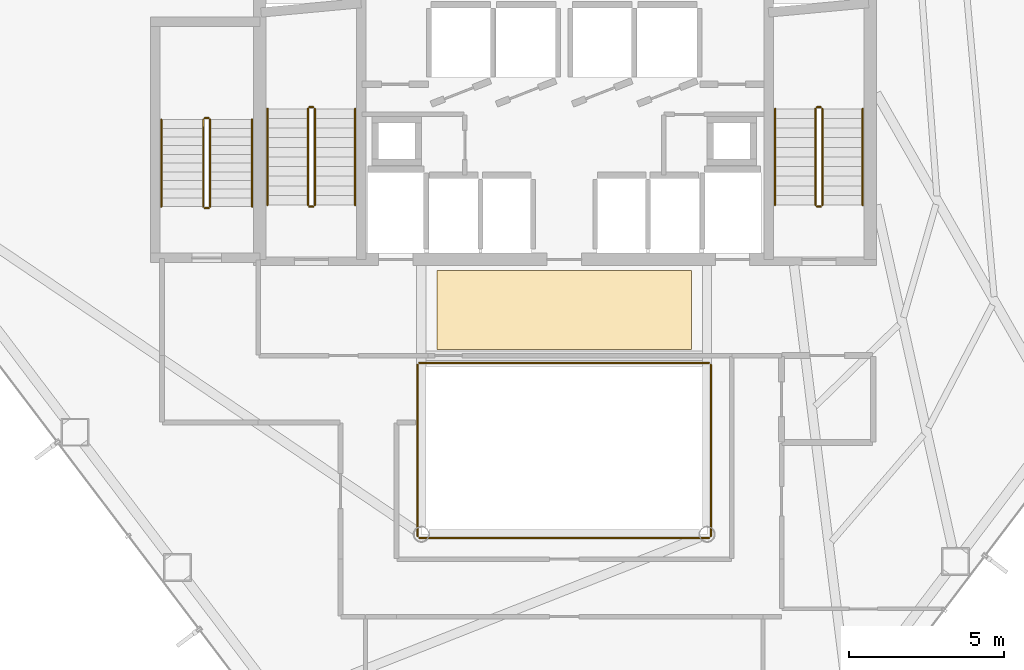
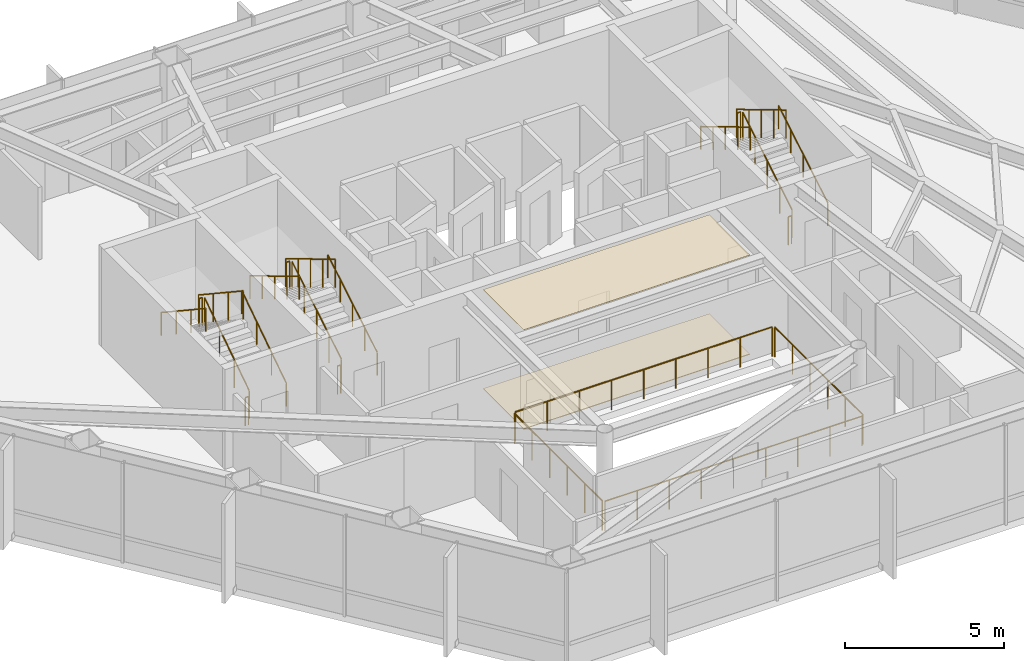
# One storey, part 24 of 24: 22 railings, 2 coverings.
"""IFC4 building model written with IfcOpenShell, lengths in metres."""

from ifc_helpers import new_model, si_unit, direction, frame, origin, origin_2d, place, context, subcontext, project, spatial, polyline, circle, outline, extrude, material, layer, layer_set, type_object, element, save


model = new_model("IFC4")

# Units and contexts
model_context = context("Model", 3, precision=1e-05, world=origin(), true_north=direction((0.0, 1.0)))
body_context = subcontext(model_context, "Body", "Model", "MODEL_VIEW")
ifc_project = project(units=[si_unit("LENGTHUNIT", "METRE"), si_unit("AREAUNIT", "SQUARE_METRE"), si_unit("VOLUMEUNIT", "CUBIC_METRE"), si_unit("PLANEANGLEUNIT", "RADIAN"), si_unit("MASSUNIT", "GRAM", prefix="KILO")], contexts=[model_context])

# Site, building, storey
site_placement = place(None, origin())
site = spatial("IfcSite", under=ifc_project, at=site_placement, CompositionType="ELEMENT")
building_placement = place(site_placement, origin())
building = spatial("IfcBuilding", under=site, at=building_placement, Name="Zarrinselat Tower", CompositionType="ELEMENT")
storey_placement = place(building_placement, frame((0.0, 0.0, 100.97998046875)))
storey = spatial("IfcBuildingStorey", under=building, at=storey_placement, Name="L24", CompositionType="ELEMENT", Elevation=100.97998046875)

# Coverings
ifc_material_1 = material(Name="Fire-Rated Gypsum Board Partition")
ifc_layer_1 = layer(ifc_material_1, 0.014892578125)
ifc_layer_set_1 = layer_set([ifc_layer_1], Name="Fire-Rated Gypsum Board Partition")
covering_type_1 = type_object("IfcCoveringType", Name="COV-CLG-AC15", PredefinedType="CEILING", material=ifc_layer_set_1)
covering_1_placement = place(storey_placement, frame((0.0, 0.0, 3.804931640625)))
element("IfcCovering", 1, at=covering_1_placement, inside=storey, type_object=covering_type_1, Name="L24 Lift Lobby Acoustic Ceiling", PredefinedType="CEILING", context=body_context, shape_type="SweptSolid", body=[
    extrude(outline(polyline([(34.300048828125, 30.35009765625), (42.5, 30.35009765625), (42.5, 32.89990234375), (34.300048828125, 32.89990234375), (34.300048828125, 30.35009765625)])), origin(), (0.0, 0.0, 1.0), 0.01513671875),
])
ifc_material_2 = material(Name="Honed Cream Travertine Stone", Category="masonry")
ifc_layer_2 = layer(ifc_material_2, 0.02490234375)
ifc_layer_set_2 = layer_set([ifc_layer_2], Name="Honed Cream Travertine Stone")
covering_type_2 = type_object("IfcCoveringType", Name="COV-FLR-ST25", PredefinedType="FLOORING", material=ifc_layer_set_2)
covering_2_placement = place(storey_placement, origin())
element("IfcCovering", 2, at=covering_2_placement, inside=storey, type_object=covering_type_2, Name="L24 Lift Lobby Stone Flooring", PredefinedType="FLOORING", context=body_context, shape_type="SweptSolid", body=[
    extrude(outline(polyline([(34.300048828125, 30.35009765625), (42.5, 30.35009765625), (42.5, 32.89990234375), (34.300048828125, 32.89990234375), (34.300048828125, 30.35009765625)])), origin(), (0.0, 0.0, 1.0), 0.02490234375),
])

# Railings
ifc_material_3 = material(Name="Double Low-E Laminated Solar Glass", Category="glass")
railing_type_1 = type_object("IfcRailingType", Name="RLG-ATRIUM-BAL", PredefinedType="BALUSTRADE", material=ifc_material_3)
railing_1_placement = place(storey_placement, frame((33.739990234375, 24.280029296875, 0.0)))
element("IfcRailing", 3, at=railing_1_placement, inside=storey, type_object=railing_type_1, Name="L24 Atrium Void Glass Balustrade S", PredefinedType="BALUSTRADE", context=body_context, shape_type="SweptSolid", body=[
    extrude(circle(Radius=0.02392578125, at=origin_2d()), frame((0.0, 0.0, 1.1259765625), z_axis=(1.0, 0.0, 0.0), x_axis=(0.0, 1.0, 0.0)), (0.0, 0.0, 1.0), 9.320068359375),
    extrude(circle(Radius=0.02099609375, at=origin_2d()), origin(), (0.0, 0.0, 1.0), 1.099853515625),
    extrude(circle(Radius=0.02099609375, at=origin_2d()), frame((1.1650390625, 0.0, 0.0)), (0.0, 0.0, 1.0), 1.099853515625),
    extrude(circle(Radius=0.02099609375, at=origin_2d()), frame((2.330078125, 0.0, 0.0)), (0.0, 0.0, 1.0), 1.099853515625),
    extrude(circle(Radius=0.02099609375, at=origin_2d()), frame((3.4951171875, 0.0, 0.0)), (0.0, 0.0, 1.0), 1.099853515625),
    extrude(circle(Radius=0.02099609375, at=origin_2d()), frame((4.66015625, 0.0, 0.0)), (0.0, 0.0, 1.0), 1.099853515625),
    extrude(circle(Radius=0.02099609375, at=origin_2d()), frame((5.824951171875, 0.0, 0.0)), (0.0, 0.0, 1.0), 1.099853515625),
    extrude(circle(Radius=0.02099609375, at=origin_2d()), frame((6.989990234375, 0.0, 0.0)), (0.0, 0.0, 1.0), 1.099853515625),
    extrude(circle(Radius=0.02099609375, at=origin_2d()), frame((8.155029296875, 0.0, 0.0)), (0.0, 0.0, 1.0), 1.099853515625),
    extrude(circle(Radius=0.02099609375, at=origin_2d()), frame((9.320068359375, 0.0, 0.0)), (0.0, 0.0, 1.0), 1.099853515625),
])
railing_2_placement = place(storey_placement, frame((43.1201171875, 24.340087890625, 0.0)))
element("IfcRailing", 4, at=railing_2_placement, inside=storey, type_object=railing_type_1, Name="L24 Atrium Void Glass Balustrade E", PredefinedType="BALUSTRADE", context=body_context, shape_type="SweptSolid", body=[
    extrude(circle(Radius=0.02392578125, at=origin_2d()), frame((0.0, 0.0, 1.1259765625), z_axis=(0.0, 1.0, 0.0), x_axis=(-1.0, 0.0, 0.0)), (0.0, 0.0, 1.0), 5.52001953125),
    extrude(circle(Radius=0.02099609375, at=origin_2d()), origin(), (0.0, 0.0, 1.0), 1.099853515625),
    extrude(circle(Radius=0.02099609375, at=origin_2d()), frame((0.0, 1.10400390625, 0.0)), (0.0, 0.0, 1.0), 1.099853515625),
    extrude(circle(Radius=0.02099609375, at=origin_2d()), frame((0.0, 2.2080078125, 0.0)), (0.0, 0.0, 1.0), 1.099853515625),
    extrude(circle(Radius=0.02099609375, at=origin_2d()), frame((0.0, 3.31201171875, 0.0)), (0.0, 0.0, 1.0), 1.099853515625),
    extrude(circle(Radius=0.02099609375, at=origin_2d()), frame((0.0, 4.416015625, 0.0)), (0.0, 0.0, 1.0), 1.099853515625),
    extrude(circle(Radius=0.02099609375, at=origin_2d()), frame((0.0, 5.52001953125, 0.0)), (0.0, 0.0, 1.0), 1.099853515625),
])
railing_3_placement = place(storey_placement, frame((43.06005859375, 29.919921875, 0.0)))
element("IfcRailing", 5, at=railing_3_placement, inside=storey, type_object=railing_type_1, Name="L24 Atrium Void Glass Balustrade N", PredefinedType="BALUSTRADE", context=body_context, shape_type="SweptSolid", body=[
    extrude(circle(Radius=0.02392578125, at=origin_2d()), frame((0.0, 0.0, 1.1259765625), z_axis=(-1.0, 0.0, 0.0), x_axis=(0.0, -1.0, 0.0)), (0.0, 0.0, 1.0), 9.320068359375),
    extrude(circle(Radius=0.02099609375, at=origin_2d()), origin(), (0.0, 0.0, 1.0), 1.099853515625),
    extrude(circle(Radius=0.02099609375, at=origin_2d()), frame((-1.1650390625, 0.0, 0.0)), (0.0, 0.0, 1.0), 1.099853515625),
    extrude(circle(Radius=0.02099609375, at=origin_2d()), frame((-2.330078125, 0.0, 0.0)), (0.0, 0.0, 1.0), 1.099853515625),
    extrude(circle(Radius=0.02099609375, at=origin_2d()), frame((-3.4951171875, 0.0, 0.0)), (0.0, 0.0, 1.0), 1.099853515625),
    extrude(circle(Radius=0.02099609375, at=origin_2d()), frame((-4.66015625, 0.0, 0.0)), (0.0, 0.0, 1.0), 1.099853515625),
    extrude(circle(Radius=0.02099609375, at=origin_2d()), frame((-5.824951171875, 0.0, 0.0)), (0.0, 0.0, 1.0), 1.099853515625),
    extrude(circle(Radius=0.02099609375, at=origin_2d()), frame((-6.989990234375, 0.0, 0.0)), (0.0, 0.0, 1.0), 1.099853515625),
    extrude(circle(Radius=0.02099609375, at=origin_2d()), frame((-8.155029296875, 0.0, 0.0)), (0.0, 0.0, 1.0), 1.099853515625),
    extrude(circle(Radius=0.02099609375, at=origin_2d()), frame((-9.320068359375, 0.0, 0.0)), (0.0, 0.0, 1.0), 1.099853515625),
])
railing_4_placement = place(storey_placement, frame((33.679931640625, 29.860107421875, 0.0)))
element("IfcRailing", 6, at=railing_4_placement, inside=storey, type_object=railing_type_1, Name="L24 Atrium Void Glass Balustrade W", PredefinedType="BALUSTRADE", context=body_context, shape_type="SweptSolid", body=[
    extrude(circle(Radius=0.02392578125, at=origin_2d()), frame((0.0, 0.0, 1.1259765625), z_axis=(0.0, -1.0, 0.0), x_axis=(1.0, 0.0, 0.0)), (0.0, 0.0, 1.0), 5.52001953125),
    extrude(circle(Radius=0.02099609375, at=origin_2d()), origin(), (0.0, 0.0, 1.0), 1.099853515625),
    extrude(circle(Radius=0.02099609375, at=origin_2d()), frame((0.0, -1.10400390625, 0.0)), (0.0, 0.0, 1.0), 1.099853515625),
    extrude(circle(Radius=0.02099609375, at=origin_2d()), frame((0.0, -2.2080078125, 0.0)), (0.0, 0.0, 1.0), 1.099853515625),
    extrude(circle(Radius=0.02099609375, at=origin_2d()), frame((0.0, -3.31201171875, 0.0)), (0.0, 0.0, 1.0), 1.099853515625),
    extrude(circle(Radius=0.02099609375, at=origin_2d()), frame((0.0, -4.416015625, 0.0)), (0.0, 0.0, 1.0), 1.099853515625),
    extrude(circle(Radius=0.02099609375, at=origin_2d()), frame((0.0, -5.52001953125, 0.0)), (0.0, 0.0, 1.0), 1.099853515625),
])
ifc_material_4 = material(Name="Steel S355J2", Category="steel")
railing_type_2 = type_object("IfcRailingType", Name="RLG-STAIR-GUARD", PredefinedType="GUARDRAIL", material=ifc_material_4)
railing_5_placement = place(storey_placement, frame((30.3701171875, 35.0, 0.185546875)))
element("IfcRailing", 7, at=railing_5_placement, inside=storey, type_object=railing_type_2, Name="L24 ST-1 stair guard 1", PredefinedType="GUARDRAIL", context=body_context, shape_type="SweptSolid", body=[
    extrude(circle(Radius=0.02392578125, at=origin_2d()), frame((0.0, 0.0, 1.076171875), z_axis=(0.0, 0.858171985069, 0.513362293163), x_axis=(-1.0, 0.0, 0.0)), (0.0, 0.0, 1.0), 3.612548828125),
    extrude(circle(Radius=0.02099609375, at=origin_2d()), origin(), (0.0, 0.0, 1.0), 1.050048828125),
    extrude(circle(Radius=0.02099609375, at=origin_2d()), frame((0.0, 0.77490234375, 0.463623046875)), (0.0, 0.0, 1.0), 1.050048828125),
    extrude(circle(Radius=0.02099609375, at=origin_2d()), frame((0.0, 1.550048828125, 0.92724609375)), (0.0, 0.0, 1.0), 1.050048828125),
    extrude(circle(Radius=0.02099609375, at=origin_2d()), frame((0.0, 2.3251953125, 1.390869140625)), (0.0, 0.0, 1.0), 1.050048828125),
    extrude(circle(Radius=0.02099609375, at=origin_2d()), frame((0.0, 3.10009765625, 1.8544921875)), (0.0, 0.0, 1.0), 1.050048828125),
])
railing_6_placement = place(storey_placement, frame((30.320068359375, 38.14990234375, 2.0400390625)))
element("IfcRailing", 8, at=railing_6_placement, inside=storey, type_object=railing_type_2, Name="L24 ST-1 stair guard 2", PredefinedType="GUARDRAIL", context=body_context, shape_type="SweptSolid", body=[
    extrude(circle(Radius=0.02392578125, at=origin_2d()), frame((0.0, 0.0, 1.076171875), z_axis=(-1.0, 0.0, 0.0), x_axis=(0.0, -1.0, 0.0)), (0.0, 0.0, 1.0), 0.1201171875),
    extrude(circle(Radius=0.02099609375, at=origin_2d()), origin(), (0.0, 0.0, 1.0), 1.050048828125),
    extrude(circle(Radius=0.02099609375, at=origin_2d()), frame((-0.1201171875, 0.0, 0.0)), (0.0, 0.0, 1.0), 1.050048828125),
])
railing_7_placement = place(storey_placement, frame((30.14990234375, 38.10009765625, 2.2255859375)))
element("IfcRailing", 9, at=railing_7_placement, inside=storey, type_object=railing_type_2, Name="L24 ST-1 stair guard 3", PredefinedType="GUARDRAIL", context=body_context, shape_type="SweptSolid", body=[
    extrude(circle(Radius=0.02392578125, at=origin_2d()), frame((0.0, 0.0, 1.076171875), z_axis=(0.0, -0.858171985069, 0.513362293163), x_axis=(1.0, 0.0, 0.0)), (0.0, 0.0, 1.0), 3.612548828125),
    extrude(circle(Radius=0.02099609375, at=origin_2d()), origin(), (0.0, 0.0, 1.0), 1.050048828125),
    extrude(circle(Radius=0.02099609375, at=origin_2d()), frame((0.0, -0.77490234375, 0.463623046875)), (0.0, 0.0, 1.0), 1.050048828125),
    extrude(circle(Radius=0.02099609375, at=origin_2d()), frame((0.0, -1.550048828125, 0.92724609375)), (0.0, 0.0, 1.0), 1.050048828125),
    extrude(circle(Radius=0.02099609375, at=origin_2d()), frame((0.0, -2.3251953125, 1.390869140625)), (0.0, 0.0, 1.0), 1.050048828125),
    extrude(circle(Radius=0.02099609375, at=origin_2d()), frame((0.0, -3.10009765625, 1.8544921875)), (0.0, 0.0, 1.0), 1.050048828125),
])
railing_8_placement = place(storey_placement, frame((30.320068359375, 34.949951171875, 0.0)))
element("IfcRailing", 10, at=railing_8_placement, inside=storey, type_object=railing_type_2, Name="L24 ST-1 stair guard 4", PredefinedType="GUARDRAIL", context=body_context, shape_type="SweptSolid", body=[
    extrude(circle(Radius=0.02392578125, at=origin_2d()), frame((0.0, 0.0, 1.076171875), z_axis=(-1.0, 0.0, 0.0), x_axis=(0.0, -1.0, 0.0)), (0.0, 0.0, 1.0), 0.1201171875),
    extrude(circle(Radius=0.02099609375, at=origin_2d()), origin(), (0.0, 0.0, 1.0), 1.050048828125),
    extrude(circle(Radius=0.02099609375, at=origin_2d()), frame((-0.1201171875, 0.0, 0.0)), (0.0, 0.0, 1.0), 1.050048828125),
])
railing_9_placement = place(storey_placement, frame((46.7099609375, 35.0, 0.185546875)))
element("IfcRailing", 11, at=railing_9_placement, inside=storey, type_object=railing_type_2, Name="L24 ST-2 stair guard 1", PredefinedType="GUARDRAIL", context=body_context, shape_type="SweptSolid", body=[
    extrude(circle(Radius=0.02392578125, at=origin_2d()), frame((0.0, 0.0, 1.076171875), z_axis=(0.0, 0.858171985069, 0.513362293163), x_axis=(-1.0, 0.0, 0.0)), (0.0, 0.0, 1.0), 3.612548828125),
    extrude(circle(Radius=0.02099609375, at=origin_2d()), origin(), (0.0, 0.0, 1.0), 1.050048828125),
    extrude(circle(Radius=0.02099609375, at=origin_2d()), frame((0.0, 0.77490234375, 0.463623046875)), (0.0, 0.0, 1.0), 1.050048828125),
    extrude(circle(Radius=0.02099609375, at=origin_2d()), frame((0.0, 1.550048828125, 0.92724609375)), (0.0, 0.0, 1.0), 1.050048828125),
    extrude(circle(Radius=0.02099609375, at=origin_2d()), frame((0.0, 2.3251953125, 1.390869140625)), (0.0, 0.0, 1.0), 1.050048828125),
    extrude(circle(Radius=0.02099609375, at=origin_2d()), frame((0.0, 3.10009765625, 1.8544921875)), (0.0, 0.0, 1.0), 1.050048828125),
])
railing_10_placement = place(storey_placement, frame((46.659912109375, 38.14990234375, 2.0400390625)))
element("IfcRailing", 12, at=railing_10_placement, inside=storey, type_object=railing_type_2, Name="L24 ST-2 stair guard 2", PredefinedType="GUARDRAIL", context=body_context, shape_type="SweptSolid", body=[
    extrude(circle(Radius=0.02392578125, at=origin_2d()), frame((0.0, 0.0, 1.076171875), z_axis=(-1.0, 0.0, 0.0), x_axis=(0.0, -1.0, 0.0)), (0.0, 0.0, 1.0), 0.119873046875),
    extrude(circle(Radius=0.02099609375, at=origin_2d()), origin(), (0.0, 0.0, 1.0), 1.050048828125),
    extrude(circle(Radius=0.02099609375, at=origin_2d()), frame((-0.119873046875, 0.0, 0.0)), (0.0, 0.0, 1.0), 1.050048828125),
])
railing_11_placement = place(storey_placement, frame((46.489990234375, 38.10009765625, 2.2255859375)))
element("IfcRailing", 13, at=railing_11_placement, inside=storey, type_object=railing_type_2, Name="L24 ST-2 stair guard 3", PredefinedType="GUARDRAIL", context=body_context, shape_type="SweptSolid", body=[
    extrude(circle(Radius=0.02392578125, at=origin_2d()), frame((0.0, 0.0, 1.076171875), z_axis=(0.0, -0.858171985069, 0.513362293163), x_axis=(1.0, 0.0, 0.0)), (0.0, 0.0, 1.0), 3.612548828125),
    extrude(circle(Radius=0.02099609375, at=origin_2d()), origin(), (0.0, 0.0, 1.0), 1.050048828125),
    extrude(circle(Radius=0.02099609375, at=origin_2d()), frame((0.0, -0.77490234375, 0.463623046875)), (0.0, 0.0, 1.0), 1.050048828125),
    extrude(circle(Radius=0.02099609375, at=origin_2d()), frame((0.0, -1.550048828125, 0.92724609375)), (0.0, 0.0, 1.0), 1.050048828125),
    extrude(circle(Radius=0.02099609375, at=origin_2d()), frame((0.0, -2.3251953125, 1.390869140625)), (0.0, 0.0, 1.0), 1.050048828125),
    extrude(circle(Radius=0.02099609375, at=origin_2d()), frame((0.0, -3.10009765625, 1.8544921875)), (0.0, 0.0, 1.0), 1.050048828125),
])
railing_12_placement = place(storey_placement, frame((46.659912109375, 34.949951171875, 0.0)))
element("IfcRailing", 14, at=railing_12_placement, inside=storey, type_object=railing_type_2, Name="L24 ST-2 stair guard 4", PredefinedType="GUARDRAIL", context=body_context, shape_type="SweptSolid", body=[
    extrude(circle(Radius=0.02392578125, at=origin_2d()), frame((0.0, 0.0, 1.076171875), z_axis=(-1.0, 0.0, 0.0), x_axis=(0.0, -1.0, 0.0)), (0.0, 0.0, 1.0), 0.119873046875),
    extrude(circle(Radius=0.02099609375, at=origin_2d()), origin(), (0.0, 0.0, 1.0), 1.050048828125),
    extrude(circle(Radius=0.02099609375, at=origin_2d()), frame((-0.119873046875, 0.0, 0.0)), (0.0, 0.0, 1.0), 1.050048828125),
])
railing_13_placement = place(storey_placement, frame((27.0, 34.949951171875, 0.185546875)))
element("IfcRailing", 15, at=railing_13_placement, inside=storey, type_object=railing_type_2, Name="L24 ST-3 stair guard 1", PredefinedType="GUARDRAIL", context=body_context, shape_type="SweptSolid", body=[
    extrude(circle(Radius=0.02392578125, at=origin_2d()), frame((0.0, 0.0, 1.076171875), z_axis=(0.0, 0.833724036255, 0.552181339209), x_axis=(-1.0, 0.0, 0.0)), (0.0, 0.0, 1.0), 3.3583984375),
    extrude(circle(Radius=0.02099609375, at=origin_2d()), origin(), (0.0, 0.0, 1.0), 1.050048828125),
    extrude(circle(Radius=0.02099609375, at=origin_2d()), frame((0.0, 0.933349609375, 0.6181640625)), (0.0, 0.0, 1.0), 1.050048828125),
    extrude(circle(Radius=0.02099609375, at=origin_2d()), frame((0.0, 1.86669921875, 1.236328125)), (0.0, 0.0, 1.0), 1.050048828125),
    extrude(circle(Radius=0.02099609375, at=origin_2d()), frame((0.0, 2.800048828125, 1.8544921875)), (0.0, 0.0, 1.0), 1.050048828125),
])
railing_14_placement = place(storey_placement, frame((26.949951171875, 37.800048828125, 2.0400390625)))
element("IfcRailing", 16, at=railing_14_placement, inside=storey, type_object=railing_type_2, Name="L24 ST-3 stair guard 2", PredefinedType="GUARDRAIL", context=body_context, shape_type="SweptSolid", body=[
    extrude(circle(Radius=0.02392578125, at=origin_2d()), frame((0.0, 0.0, 1.076171875), z_axis=(-1.0, 0.0, 0.0), x_axis=(0.0, -1.0, 0.0)), (0.0, 0.0, 1.0), 0.119873046875),
    extrude(circle(Radius=0.02099609375, at=origin_2d()), origin(), (0.0, 0.0, 1.0), 1.050048828125),
    extrude(circle(Radius=0.02099609375, at=origin_2d()), frame((-0.119873046875, 0.0, 0.0)), (0.0, 0.0, 1.0), 1.050048828125),
])
railing_15_placement = place(storey_placement, frame((26.780029296875, 37.75, 2.2255859375)))
element("IfcRailing", 17, at=railing_15_placement, inside=storey, type_object=railing_type_2, Name="L24 ST-3 stair guard 3", PredefinedType="GUARDRAIL", context=body_context, shape_type="SweptSolid", body=[
    extrude(circle(Radius=0.02392578125, at=origin_2d()), frame((0.0, 0.0, 1.076171875), z_axis=(0.0, -0.833724036255, 0.552181339209), x_axis=(1.0, 0.0, 0.0)), (0.0, 0.0, 1.0), 3.3583984375),
    extrude(circle(Radius=0.02099609375, at=origin_2d()), origin(), (0.0, 0.0, 1.0), 1.050048828125),
    extrude(circle(Radius=0.02099609375, at=origin_2d()), frame((0.0, -0.933349609375, 0.6181640625)), (0.0, 0.0, 1.0), 1.050048828125),
    extrude(circle(Radius=0.02099609375, at=origin_2d()), frame((0.0, -1.86669921875, 1.236328125)), (0.0, 0.0, 1.0), 1.050048828125),
    extrude(circle(Radius=0.02099609375, at=origin_2d()), frame((0.0, -2.800048828125, 1.8544921875)), (0.0, 0.0, 1.0), 1.050048828125),
])
railing_16_placement = place(storey_placement, frame((26.949951171875, 34.89990234375, 0.0)))
element("IfcRailing", 18, at=railing_16_placement, inside=storey, type_object=railing_type_2, Name="L24 ST-3 stair guard 4", PredefinedType="GUARDRAIL", context=body_context, shape_type="SweptSolid", body=[
    extrude(circle(Radius=0.02392578125, at=origin_2d()), frame((0.0, 0.0, 1.076171875), z_axis=(-1.0, 0.0, 0.0), x_axis=(0.0, -1.0, 0.0)), (0.0, 0.0, 1.0), 0.119873046875),
    extrude(circle(Radius=0.02099609375, at=origin_2d()), origin(), (0.0, 0.0, 1.0), 1.050048828125),
    extrude(circle(Radius=0.02099609375, at=origin_2d()), frame((-0.119873046875, 0.0, 0.0)), (0.0, 0.0, 1.0), 1.050048828125),
])
ifc_material_5 = material(Name="Steel S355J2", Category="steel")
railing_type_3 = type_object("IfcRailingType", Name="RLG-STAIR-HAND", PredefinedType="HANDRAIL", material=ifc_material_5)
railing_17_placement = place(storey_placement, frame((31.669921875, 35.0, 0.185546875)))
element("IfcRailing", 19, at=railing_17_placement, inside=storey, type_object=railing_type_3, Name="L24 ST-1 stair handrail 1", PredefinedType="HANDRAIL", context=body_context, shape_type="SweptSolid", body=[
    extrude(circle(Radius=0.02392578125, at=origin_2d()), frame((0.0, 0.0, 0.8759765625), z_axis=(0.0, 0.858171985069, 0.513362293163), x_axis=(-1.0, 0.0, 0.0)), (0.0, 0.0, 1.0), 3.612548828125),
    extrude(circle(Radius=0.02099609375, at=origin_2d()), origin(), (0.0, 0.0, 1.0), 0.849853515625),
    extrude(circle(Radius=0.02099609375, at=origin_2d()), frame((0.0, 0.77490234375, 0.463623046875)), (0.0, 0.0, 1.0), 0.849853515625),
    extrude(circle(Radius=0.02099609375, at=origin_2d()), frame((0.0, 1.550048828125, 0.92724609375)), (0.0, 0.0, 1.0), 0.849853515625),
    extrude(circle(Radius=0.02099609375, at=origin_2d()), frame((0.0, 2.3251953125, 1.390869140625)), (0.0, 0.0, 1.0), 0.849853515625),
    extrude(circle(Radius=0.02099609375, at=origin_2d()), frame((0.0, 3.10009765625, 1.8544921875)), (0.0, 0.0, 1.0), 0.849853515625),
])
railing_18_placement = place(storey_placement, frame((28.85009765625, 38.10009765625, 2.2255859375)))
element("IfcRailing", 20, at=railing_18_placement, inside=storey, type_object=railing_type_3, Name="L24 ST-1 stair handrail 2", PredefinedType="HANDRAIL", context=body_context, shape_type="SweptSolid", body=[
    extrude(circle(Radius=0.02392578125, at=origin_2d()), frame((0.0, 0.0, 0.8759765625), z_axis=(0.0, -0.858171985069, 0.513362293163), x_axis=(1.0, 0.0, 0.0)), (0.0, 0.0, 1.0), 3.612548828125),
    extrude(circle(Radius=0.02099609375, at=origin_2d()), origin(), (0.0, 0.0, 1.0), 0.849853515625),
    extrude(circle(Radius=0.02099609375, at=origin_2d()), frame((0.0, -0.77490234375, 0.463623046875)), (0.0, 0.0, 1.0), 0.849853515625),
    extrude(circle(Radius=0.02099609375, at=origin_2d()), frame((0.0, -1.550048828125, 0.92724609375)), (0.0, 0.0, 1.0), 0.849853515625),
    extrude(circle(Radius=0.02099609375, at=origin_2d()), frame((0.0, -2.3251953125, 1.390869140625)), (0.0, 0.0, 1.0), 0.849853515625),
    extrude(circle(Radius=0.02099609375, at=origin_2d()), frame((0.0, -3.10009765625, 1.8544921875)), (0.0, 0.0, 1.0), 0.849853515625),
])
railing_19_placement = place(storey_placement, frame((48.010009765625, 35.0, 0.185546875)))
element("IfcRailing", 21, at=railing_19_placement, inside=storey, type_object=railing_type_3, Name="L24 ST-2 stair handrail 1", PredefinedType="HANDRAIL", context=body_context, shape_type="SweptSolid", body=[
    extrude(circle(Radius=0.02392578125, at=origin_2d()), frame((0.0, 0.0, 0.8759765625), z_axis=(0.0, 0.858171985069, 0.513362293163), x_axis=(-1.0, 0.0, 0.0)), (0.0, 0.0, 1.0), 3.612548828125),
    extrude(circle(Radius=0.02099609375, at=origin_2d()), origin(), (0.0, 0.0, 1.0), 0.849853515625),
    extrude(circle(Radius=0.02099609375, at=origin_2d()), frame((0.0, 0.77490234375, 0.463623046875)), (0.0, 0.0, 1.0), 0.849853515625),
    extrude(circle(Radius=0.02099609375, at=origin_2d()), frame((0.0, 1.550048828125, 0.92724609375)), (0.0, 0.0, 1.0), 0.849853515625),
    extrude(circle(Radius=0.02099609375, at=origin_2d()), frame((0.0, 2.3251953125, 1.390869140625)), (0.0, 0.0, 1.0), 0.849853515625),
    extrude(circle(Radius=0.02099609375, at=origin_2d()), frame((0.0, 3.10009765625, 1.8544921875)), (0.0, 0.0, 1.0), 0.849853515625),
])
railing_20_placement = place(storey_placement, frame((45.18994140625, 38.10009765625, 2.2255859375)))
element("IfcRailing", 22, at=railing_20_placement, inside=storey, type_object=railing_type_3, Name="L24 ST-2 stair handrail 2", PredefinedType="HANDRAIL", context=body_context, shape_type="SweptSolid", body=[
    extrude(circle(Radius=0.02392578125, at=origin_2d()), frame((0.0, 0.0, 0.8759765625), z_axis=(0.0, -0.858171985069, 0.513362293163), x_axis=(1.0, 0.0, 0.0)), (0.0, 0.0, 1.0), 3.612548828125),
    extrude(circle(Radius=0.02099609375, at=origin_2d()), origin(), (0.0, 0.0, 1.0), 0.849853515625),
    extrude(circle(Radius=0.02099609375, at=origin_2d()), frame((0.0, -0.77490234375, 0.463623046875)), (0.0, 0.0, 1.0), 0.849853515625),
    extrude(circle(Radius=0.02099609375, at=origin_2d()), frame((0.0, -1.550048828125, 0.92724609375)), (0.0, 0.0, 1.0), 0.849853515625),
    extrude(circle(Radius=0.02099609375, at=origin_2d()), frame((0.0, -2.3251953125, 1.390869140625)), (0.0, 0.0, 1.0), 0.849853515625),
    extrude(circle(Radius=0.02099609375, at=origin_2d()), frame((0.0, -3.10009765625, 1.8544921875)), (0.0, 0.0, 1.0), 0.849853515625),
])
railing_21_placement = place(storey_placement, frame((28.35009765625, 34.949951171875, 0.185546875)))
element("IfcRailing", 23, at=railing_21_placement, inside=storey, type_object=railing_type_3, Name="L24 ST-3 stair handrail 1", PredefinedType="HANDRAIL", context=body_context, shape_type="SweptSolid", body=[
    extrude(circle(Radius=0.02392578125, at=origin_2d()), frame((0.0, 0.0, 0.8759765625), z_axis=(0.0, 0.833724036255, 0.552181339209), x_axis=(-1.0, 0.0, 0.0)), (0.0, 0.0, 1.0), 3.3583984375),
    extrude(circle(Radius=0.02099609375, at=origin_2d()), origin(), (0.0, 0.0, 1.0), 0.849853515625),
    extrude(circle(Radius=0.02099609375, at=origin_2d()), frame((0.0, 0.933349609375, 0.6181640625)), (0.0, 0.0, 1.0), 0.849853515625),
    extrude(circle(Radius=0.02099609375, at=origin_2d()), frame((0.0, 1.86669921875, 1.236328125)), (0.0, 0.0, 1.0), 0.849853515625),
    extrude(circle(Radius=0.02099609375, at=origin_2d()), frame((0.0, 2.800048828125, 1.8544921875)), (0.0, 0.0, 1.0), 0.849853515625),
])
railing_22_placement = place(storey_placement, frame((25.429931640625, 37.75, 2.2255859375)))
element("IfcRailing", 24, at=railing_22_placement, inside=storey, type_object=railing_type_3, Name="L24 ST-3 stair handrail 2", PredefinedType="HANDRAIL", context=body_context, shape_type="SweptSolid", body=[
    extrude(circle(Radius=0.02392578125, at=origin_2d()), frame((0.0, 0.0, 0.8759765625), z_axis=(0.0, -0.833724036255, 0.552181339209), x_axis=(1.0, 0.0, 0.0)), (0.0, 0.0, 1.0), 3.3583984375),
    extrude(circle(Radius=0.02099609375, at=origin_2d()), origin(), (0.0, 0.0, 1.0), 0.849853515625),
    extrude(circle(Radius=0.02099609375, at=origin_2d()), frame((0.0, -0.933349609375, 0.6181640625)), (0.0, 0.0, 1.0), 0.849853515625),
    extrude(circle(Radius=0.02099609375, at=origin_2d()), frame((0.0, -1.86669921875, 1.236328125)), (0.0, 0.0, 1.0), 0.849853515625),
    extrude(circle(Radius=0.02099609375, at=origin_2d()), frame((0.0, -2.800048828125, 1.8544921875)), (0.0, 0.0, 1.0), 0.849853515625),
])

save(model, "model.ifc")
